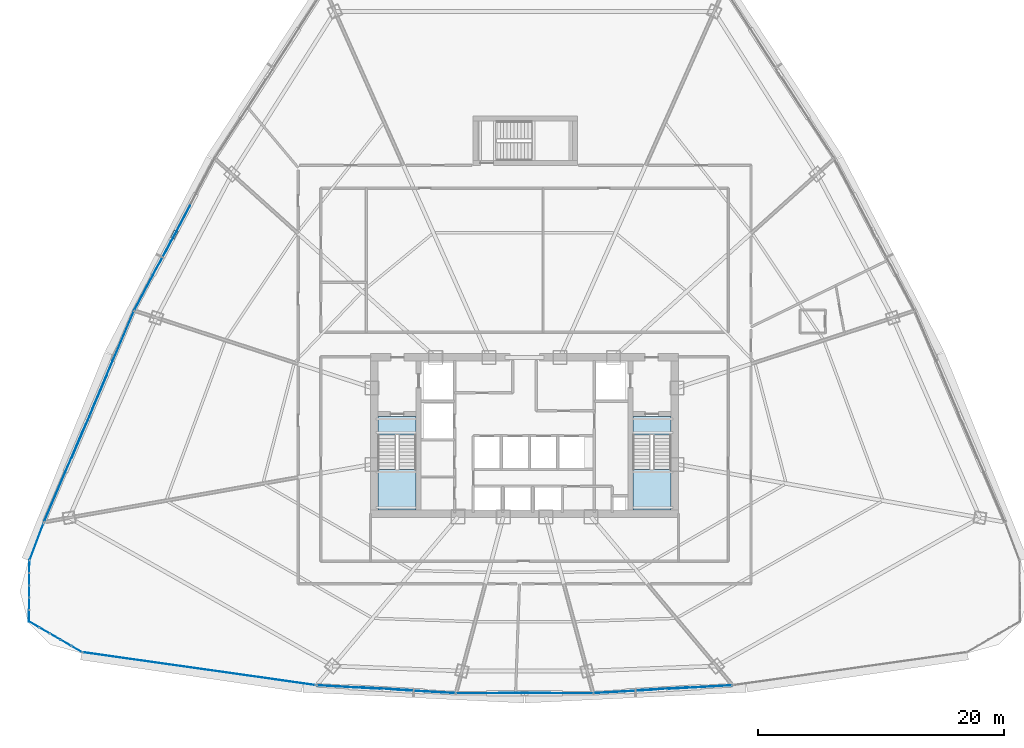
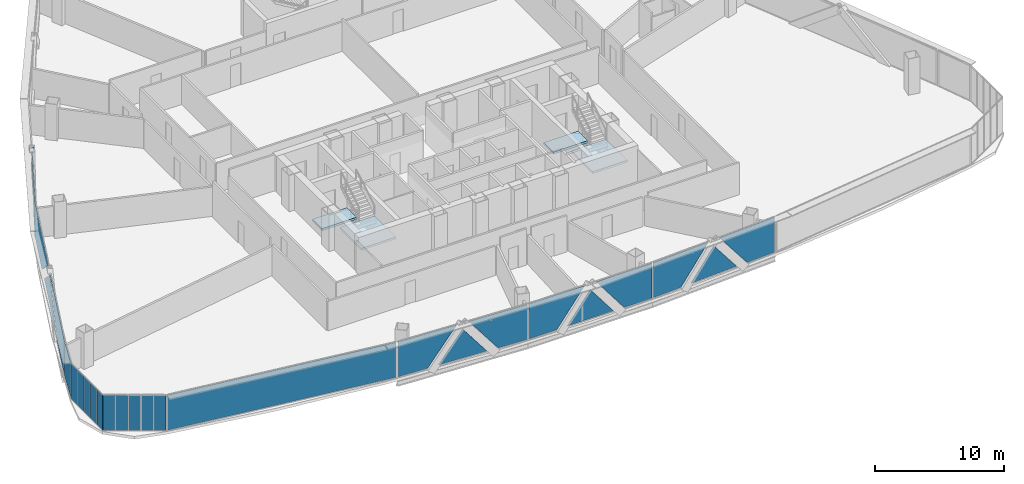
# One storey, part 31 of 42: 27 plates, 4 slabs, 11 elements without a shape of their own.
"""IFC4 building model written with IfcOpenShell, lengths in metres."""

from ifc_helpers import new_model, si_unit, direction, frame, origin, origin_2d, place, context, subcontext, project, spatial, polyline, rectangle, outline, extrude, source, transform, mapped, material, layer, layer_set, type_object, element, aggregate, save


model = new_model("IFC4")

# Units and contexts
model_context = context("Model", 3, precision=1e-05, world=origin(), true_north=direction((0.0, 1.0)))
body_context = subcontext(model_context, "Body", "Model", "MODEL_VIEW")
ifc_project = project(units=[si_unit("LENGTHUNIT", "METRE"), si_unit("AREAUNIT", "SQUARE_METRE"), si_unit("VOLUMEUNIT", "CUBIC_METRE"), si_unit("PLANEANGLEUNIT", "RADIAN"), si_unit("MASSUNIT", "GRAM", prefix="KILO"), si_unit("THERMODYNAMICTEMPERATUREUNIT", "KELVIN"), si_unit("POWERUNIT", "WATT")], contexts=[model_context])

# Site, building, storey
site_placement = place(None, origin())
site = spatial("IfcSite", under=ifc_project, at=site_placement, CompositionType="ELEMENT")
building_placement = place(site_placement, origin())
building = spatial("IfcBuilding", under=site, at=building_placement, Name="Yunzhuo Pagoda Commons", CompositionType="ELEMENT")
storey_placement = place(building_placement, frame((0.0, 0.0, 133.510009765625)))
storey = spatial("IfcBuildingStorey", under=building, at=storey_placement, Name="L33", CompositionType="ELEMENT", Elevation=133.510009765625)

# Curtain wall, plates
ifc_material_1 = material(Name="Anodized aluminium 6063-T6", Category="aluminium")
ifc_layer_1 = layer(ifc_material_1, 0.14990234375)
ifc_layer_set_1 = layer_set([ifc_layer_1], Name="Anodized aluminium 6063-T6")
curtain_wall_type_1 = type_object("IfcCurtainWallType", Name="CW-MID Mid-Zone Ribbon Curtain Wall", PredefinedType="NOTDEFINED", material=ifc_layer_set_1)
curtain_wall_1_placement = place(storey_placement, origin())
curtain_wall_1 = element("IfcCurtainWall", 1, at=curtain_wall_1_placement, inside=storey, type_object=curtain_wall_type_1, Name="L33 curtain wall CW-L33-F1B2", PredefinedType="NOTDEFINED")
ifc_material_2 = material(Name="Tempered low-e double glazing", Category="glass")
ifc_layer_2 = layer(ifc_material_2, 0.028076171875)
ifc_layer_set_2 = layer_set([ifc_layer_2], Name="Tempered low-e double glazing")
plate_type_1 = type_object("IfcPlateType", Name="CW-MID-P Low-E Double Glazing 28", PredefinedType="CURTAIN_PANEL", material=ifc_layer_set_2)
plate_1_placement = place(storey_placement, frame((33.7041015625, 13.427490234375, 1.7099609375), z_axis=(-0.056741862165, -0.99838888269, 0.0), x_axis=(0.99838888269, -0.056741862165, 0.0)))
plate_1 = element("IfcPlate", 2, at=plate_1_placement, type_object=plate_type_1, Name="CW panel 1.1 lite 1", PredefinedType="CURTAIN_PANEL", context=body_context, shape_type="SweptSolid", body=[
    extrude(outline(polyline([(-2.5458984375, -1.655029296875), (-0.005859375, -1.655029296875), (2.5458984375, 1.655029296875), (-2.5458984375, 1.655029296875), (-2.5458984375, -1.655029296875)])), origin(), (0.0, 0.0, 1.0), 0.028076171875),
])
plate_2_placement = place(storey_placement, frame((36.76904296875, 13.283203125, 1.42626953125), z_axis=(-0.056741862165, -0.99838888269, 0.0), x_axis=(0.99838888269, -0.056741862165, 0.0)))
plate_2 = element("IfcPlate", 3, at=plate_2_placement, type_object=plate_type_1, Name="CW panel 1.1 lite 2", PredefinedType="CURTAIN_PANEL", context=body_context, shape_type="SweptSolid", body=[
    extrude(outline(polyline([(-2.1142578125, -1.371337890625), (2.1142578125, -1.371337890625), (0.0, 1.371337890625), (-2.1142578125, -1.371337890625)])), origin(), (0.0, 0.0, 1.0), 0.028076171875),
])
plate_3_placement = place(storey_placement, frame((39.830322265625, 13.079345703125, 1.7099609375), z_axis=(-0.056741862165, -0.99838888269, 0.0), x_axis=(0.99838888269, -0.056741862165, 0.0)))
plate_3 = element("IfcPlate", 4, at=plate_3_placement, type_object=plate_type_1, Name="CW panel 1.1 lite 3", PredefinedType="CURTAIN_PANEL", context=body_context, shape_type="SweptSolid", body=[
    extrude(outline(polyline([(-2.5458984375, 1.655029296875), (0.005859375, -1.655029296875), (2.5458984375, -1.655029296875), (2.5458984375, 1.655029296875), (-2.5458984375, 1.655029296875)])), origin(), (0.0, 0.0, 1.0), 0.028076171875),
])
aggregate(curtain_wall_1, [plate_1, plate_2, plate_3])

curtain_wall_2_placement = place(storey_placement, origin())
curtain_wall_2 = element("IfcCurtainWall", 5, at=curtain_wall_2_placement, inside=storey, type_object=curtain_wall_type_1, Name="L33 curtain wall CW-L33-F1B3", PredefinedType="NOTDEFINED")
plate_4_placement = place(storey_placement, frame((44.986572265625, 12.931640625, 1.7099609375), z_axis=(0.0, -1.0, 0.0), x_axis=(1.0, 0.0, 0.0)))
plate_4 = element("IfcPlate", 6, at=plate_4_placement, type_object=plate_type_1, Name="CW panel 1.1 lite 1", PredefinedType="CURTAIN_PANEL", context=body_context, shape_type="SweptSolid", body=[
    extrude(outline(polyline([(-2.495361328125, -1.655029296875), (-0.00927734375, -1.655029296875), (2.495361328125, 1.655029296875), (-2.495361328125, 1.655029296875), (-2.495361328125, -1.655029296875)])), origin(), (0.0, 0.0, 1.0), 0.028076171875),
])
plate_5_placement = place(storey_placement, frame((48.0, 12.96142578125, 1.422607421875), z_axis=(0.0, -1.0, 0.0), x_axis=(1.0, 0.0, 0.0)))
plate_5 = element("IfcPlate", 7, at=plate_5_placement, type_object=plate_type_1, Name="CW panel 1.1 lite 2", PredefinedType="CURTAIN_PANEL", context=body_context, shape_type="SweptSolid", body=[
    extrude(outline(polyline([(-2.069580078125, -1.36767578125), (2.069580078125, -1.36767578125), (0.0, 1.36767578125), (-2.069580078125, -1.36767578125)])), origin(), (0.0, 0.0, 1.0), 0.028076171875),
])
plate_6_placement = place(storey_placement, frame((51.013427734375, 12.931640625, 1.7099609375), z_axis=(0.0, -1.0, 0.0), x_axis=(1.0, 0.0, 0.0)))
plate_6 = element("IfcPlate", 8, at=plate_6_placement, type_object=plate_type_1, Name="CW panel 1.1 lite 3", PredefinedType="CURTAIN_PANEL", context=body_context, shape_type="SweptSolid", body=[
    extrude(outline(polyline([(-2.495361328125, 1.655029296875), (0.00927734375, -1.655029296875), (2.495361328125, -1.655029296875), (2.495361328125, 1.655029296875), (-2.495361328125, 1.655029296875)])), origin(), (0.0, 0.0, 1.0), 0.028076171875),
])
aggregate(curtain_wall_2, [plate_4, plate_5, plate_6])

curtain_wall_3_placement = place(storey_placement, origin())
curtain_wall_3 = element("IfcCurtainWall", 9, at=curtain_wall_3_placement, inside=storey, type_object=curtain_wall_type_1, Name="L33 curtain wall CW-L33-F1B4", PredefinedType="NOTDEFINED")
plate_7_placement = place(storey_placement, frame((56.169677734375, 13.079345703125, 1.7099609375), z_axis=(0.056741862165, -0.99838888269, 0.0), x_axis=(0.99838888269, 0.056741862165, 0.0)))
plate_7 = element("IfcPlate", 10, at=plate_7_placement, type_object=plate_type_1, Name="CW panel 1.1 lite 1", PredefinedType="CURTAIN_PANEL", context=body_context, shape_type="SweptSolid", body=[
    extrude(outline(polyline([(-2.5458984375, -1.655029296875), (-0.005859375, -1.655029296875), (2.5458984375, 1.655029296875), (-2.5458984375, 1.655029296875), (-2.5458984375, -1.655029296875)])), origin(), (0.0, 0.0, 1.0), 0.028076171875),
])
plate_8_placement = place(storey_placement, frame((59.23095703125, 13.283203125, 1.42626953125), z_axis=(0.056741862165, -0.99838888269, 0.0), x_axis=(0.99838888269, 0.056741862165, 0.0)))
plate_8 = element("IfcPlate", 11, at=plate_8_placement, type_object=plate_type_1, Name="CW panel 1.1 lite 2", PredefinedType="CURTAIN_PANEL", context=body_context, shape_type="SweptSolid", body=[
    extrude(outline(polyline([(-2.1142578125, -1.371337890625), (2.1142578125, -1.371337890625), (0.0, 1.371337890625), (-2.1142578125, -1.371337890625)])), origin(), (0.0, 0.0, 1.0), 0.028076171875),
])
plate_9_placement = place(storey_placement, frame((62.2958984375, 13.427490234375, 1.7099609375), z_axis=(0.056741862165, -0.99838888269, 0.0), x_axis=(0.99838888269, 0.056741862165, 0.0)))
plate_9 = element("IfcPlate", 12, at=plate_9_placement, type_object=plate_type_1, Name="CW panel 1.1 lite 3", PredefinedType="CURTAIN_PANEL", context=body_context, shape_type="SweptSolid", body=[
    extrude(outline(polyline([(-2.5458984375, 1.655029296875), (0.005859375, -1.655029296875), (2.5458984375, -1.655029296875), (2.5458984375, 1.655029296875), (-2.5458984375, 1.655029296875)])), origin(), (0.0, 0.0, 1.0), 0.028076171875),
])
aggregate(curtain_wall_3, [plate_7, plate_8, plate_9])

curtain_wall_4_placement = place(storey_placement, origin())
curtain_wall_4 = element("IfcCurtainWall", 13, at=curtain_wall_4_placement, inside=storey, type_object=curtain_wall_type_1, Name="L33 curtain wall CW-L33-F3B3", PredefinedType="NOTDEFINED")
plate_10_placement = place(storey_placement, frame((19.591796875, 50.166015625, 1.461669921875), z_axis=(-0.883694161172, 0.468064770635, 0.0), x_axis=(-0.468064770635, -0.883694161172, 0.0)))
plate_10 = element("IfcPlate", 14, at=plate_10_placement, type_object=plate_type_1, Name="CW panel 1.1 lite 2", PredefinedType="CURTAIN_PANEL", context=body_context, shape_type="SweptSolid", body=[
    extrude(outline(polyline([(-2.673095703125, -1.40673828125), (2.673095703125, -1.40673828125), (0.0, 1.406494140625), (-2.673095703125, -1.40673828125)])), origin(), (0.0, 0.0, 1.0), 0.028076171875),
])
plate_11_placement = place(storey_placement, frame((17.807861328125, 46.86181640625, 1.7099609375), z_axis=(-0.883694161172, 0.468064770635, 0.0), x_axis=(-0.468064770635, -0.883694161172, 0.0)))
plate_11 = element("IfcPlate", 15, at=plate_11_placement, type_object=plate_type_1, Name="CW panel 1.1 lite 3", PredefinedType="CURTAIN_PANEL", context=body_context, shape_type="SweptSolid", body=[
    extrude(outline(polyline([(-3.178466796875, 1.655029296875), (-0.033203125, -1.655029296875), (3.178466796875, -1.655029296875), (3.178466796875, 1.655029296875), (-3.178466796875, 1.655029296875)])), origin(), (0.0, 0.0, 1.0), 0.028076171875),
])
aggregate(curtain_wall_4, [plate_10, plate_11])

curtain_wall_5_placement = place(storey_placement, origin())
curtain_wall_5 = element("IfcCurtainWall", 16, at=curtain_wall_5_placement, inside=storey, type_object=curtain_wall_type_1, Name="L33 curtain wall CW-L33-F3B4", PredefinedType="NOTDEFINED")
plate_12_placement = place(storey_placement, frame((14.5830078125, 39.989990234375, 1.7099609375), z_axis=(-0.919928137274, 0.392087008522, 0.0), x_axis=(-0.392087008522, -0.919928137274, 0.0)))
plate_12 = element("IfcPlate", 17, at=plate_12_placement, type_object=plate_type_1, Name="CW panel 1.1 lite 1", PredefinedType="CURTAIN_PANEL", context=body_context, shape_type="SweptSolid", body=[
    extrude(outline(polyline([(-4.300048828125, -1.655029296875), (0.097900390625, -1.655029296875), (4.300048828125, 1.655029296875), (-4.300048828125, 1.655029296875), (-4.300048828125, -1.655029296875)])), origin(), (0.0, 0.0, 1.0), 0.028076171875),
])
plate_13_placement = place(storey_placement, frame((12.65625, 35.393310546875, 1.49560546875), z_axis=(-0.919928137274, 0.392087008522, 0.0), x_axis=(-0.392087008522, -0.919928137274, 0.0)))
plate_13 = element("IfcPlate", 18, at=plate_13_placement, type_object=plate_type_1, Name="CW panel 1.1 lite 2", PredefinedType="CURTAIN_PANEL", context=body_context, shape_type="SweptSolid", body=[
    extrude(outline(polyline([(-3.657958984375, -1.440673828125), (3.657958984375, -1.440673828125), (0.0, 1.440673828125), (-3.657958984375, -1.440673828125)])), origin(), (0.0, 0.0, 1.0), 0.028076171875),
])
plate_14_placement = place(storey_placement, frame((10.674560546875, 30.820068359375, 1.7099609375), z_axis=(-0.919928137274, 0.392087008522, 0.0), x_axis=(-0.392087008522, -0.919928137274, 0.0)))
plate_14 = element("IfcPlate", 19, at=plate_14_placement, type_object=plate_type_1, Name="CW panel 1.1 lite 3", PredefinedType="CURTAIN_PANEL", context=body_context, shape_type="SweptSolid", body=[
    extrude(outline(polyline([(-4.300048828125, 1.655029296875), (-0.097900390625, -1.655029296875), (4.300048828125, -1.655029296875), (4.300048828125, 1.655029296875), (-4.300048828125, 1.655029296875)])), origin(), (0.0, 0.0, 1.0), 0.028076171875),
])
aggregate(curtain_wall_5, [plate_12, plate_13, plate_14])

# Stair, slabs
ifc_material_3 = material(Name="Concrete C40", Category="concrete")
stair_type_1 = type_object("IfcStairType", Name="ST-C1 Core Smokeproof Stair ST1", PredefinedType="HALF_TURN_STAIR", material=ifc_material_3)
stair_1_placement = place(storey_placement, origin())
stair_1 = element("IfcStair", 20, at=stair_1_placement, inside=storey, type_object=stair_type_1, Name="L33 Core smokeproof stair ST1", PredefinedType="HALF_TURN_STAIR")
ifc_layer_3 = layer(ifc_material_3, 0.199951171875)
ifc_layer_set_3 = layer_set([ifc_layer_3], Name="Concrete C40")
slab_type_1 = type_object("IfcSlabType", Name="SL-LND1 Stair Landing Slab 200", PredefinedType="LANDING", material=ifc_layer_set_3)
slab_1_placement = place(storey_placement, frame((0.0, 0.0, 1.639892578125)))
slab_1 = element("IfcSlab", 21, at=slab_1_placement, type_object=slab_type_1, Name="ST1 landing 1", PredefinedType="LANDING", context=body_context, shape_type="SweptSolid", body=[
    extrude(outline(polyline([(36.10009765625, 31.10009765625), (36.10009765625, 27.800048828125), (39.199951171875, 27.800048828125), (39.199951171875, 31.10009765625), (36.10009765625, 31.10009765625)])), origin(), (0.0, 0.0, 1.0), 0.2001953125),
])
slab_2_placement = place(storey_placement, frame((0.0, 0.0, -0.199951171875)))
slab_2 = element("IfcSlab", 22, at=slab_2_placement, type_object=slab_type_1, Name="ST1 floor landing L33", PredefinedType="LANDING", context=body_context, shape_type="SweptSolid", body=[
    extrude(outline(polyline([(36.10009765625, 35.39990234375), (36.10009765625, 33.89990234375), (39.199951171875, 33.89990234375), (39.199951171875, 35.39990234375), (36.10009765625, 35.39990234375)])), origin(), (0.0, 0.0, 1.0), 0.199951171875),
])
aggregate(stair_1, [slab_1, slab_2])

stair_type_2 = type_object("IfcStairType", Name="ST-C2 Core Smokeproof Stair ST2", PredefinedType="HALF_TURN_STAIR", material=ifc_material_3)
stair_2_placement = place(storey_placement, origin())
stair_2 = element("IfcStair", 23, at=stair_2_placement, inside=storey, type_object=stair_type_2, Name="L33 Core smokeproof stair ST2", PredefinedType="HALF_TURN_STAIR")
ifc_layer_4 = layer(ifc_material_3, 0.201904296875)
ifc_layer_set_4 = layer_set([ifc_layer_4], Name="Concrete C40")
slab_type_2 = type_object("IfcSlabType", Name="SL-LND2 Stair Landing Slab 202", PredefinedType="LANDING", material=ifc_layer_set_4)
slab_3_placement = place(storey_placement, frame((0.0, 0.0, 1.639892578125)))
slab_3 = element("IfcSlab", 24, at=slab_3_placement, type_object=slab_type_2, Name="ST2 landing 1", PredefinedType="LANDING", context=body_context, shape_type="SweptSolid", body=[
    extrude(outline(polyline([(56.800048828125, 31.10009765625), (56.800048828125, 27.800048828125), (59.89990234375, 27.800048828125), (59.89990234375, 31.10009765625), (56.800048828125, 31.10009765625)])), origin(), (0.0, 0.0, 1.0), 0.2001953125),
])
slab_4_placement = place(storey_placement, frame((0.0, 0.0, -0.199951171875)))
slab_4 = element("IfcSlab", 25, at=slab_4_placement, type_object=slab_type_2, Name="ST2 floor landing L33", PredefinedType="LANDING", context=body_context, shape_type="SweptSolid", body=[
    extrude(outline(polyline([(56.800048828125, 35.39990234375), (56.800048828125, 33.89990234375), (59.89990234375, 33.89990234375), (59.89990234375, 35.39990234375), (56.800048828125, 35.39990234375)])), origin(), (0.0, 0.0, 1.0), 0.199951171875),
])
aggregate(stair_2, [slab_3, slab_4])

# Plate
ifc_material_4 = material(Name="Structural steel Q355B", Category="steel")
ifc_layer_5 = layer(ifc_material_4, 0.028076171875)
ifc_layer_set_5 = layer_set([ifc_layer_5], Name="Structural steel Q355B")
plate_type_2 = type_object("IfcPlateType", Name="SP-ND1 Lattice Node Cap Plate 800x500x28", PredefinedType="USERDEFINED", material=ifc_layer_set_5)
shared_shape_1 = source(origin(), body_context, "Body", "SweptSolid", [
    extrude(rectangle(XDim=0.699951171875, YDim=0.35009765625, at=origin_2d()), origin(), (0.0, 0.0, 1.0), 0.035888671875),
])
plate_15_placement = place(storey_placement, frame((19.552734375, 50.1865234375, 3.3818359375), z_axis=(0.0, 0.0, 1.0), x_axis=(-0.468068630068, -0.883692116943, 0.0)))
element("IfcPlate", 26, at=plate_15_placement, inside=storey, type_object=plate_type_2, Name="L33 setback lattice tie plate F3.2L", ObjectType="STIFFENER_PLATE", PredefinedType="USERDEFINED", context=body_context, shape_type="MappedRepresentation", body=[
    mapped(shared_shape_1, transform((0.0, 0.0, 0.0), scale=1.0)),
])

# Curtain wall, plate
curtain_wall_6_placement = place(storey_placement, origin())
curtain_wall_6 = element("IfcCurtainWall", 27, at=curtain_wall_6_placement, inside=storey, type_object=curtain_wall_type_1, Name="L33 curtain wall CW-L33-F1B1", PredefinedType="NOTDEFINED")
shared_shape_2 = source(origin(), body_context, "Body", "SweptSolid", [
    extrude(rectangle(XDim=19.068359375, YDim=0.028076171875, at=origin_2d()), origin(), (0.0, 0.0, 1.0), 3.31005859375),
])
plate_16_placement = place(storey_placement, frame((21.527587890625, 14.915283203125, 0.054931640625), z_axis=(0.0, 0.0, 1.0), x_axis=(0.990147694104, -0.140026939768, 0.0)))
plate_16 = element("IfcPlate", 28, at=plate_16_placement, type_object=plate_type_1, Name="CW panel 1.1", PredefinedType="CURTAIN_PANEL", context=body_context, shape_type="MappedRepresentation", body=[
    mapped(shared_shape_2, transform((0.0, 0.0, 0.0), scale=1.0)),
])
aggregate(curtain_wall_6, [plate_16])

curtain_wall_7_placement = place(storey_placement, origin())
curtain_wall_7 = element("IfcCurtainWall", 29, at=curtain_wall_7_placement, inside=storey, type_object=curtain_wall_type_1, Name="L33 curtain wall CW-L33-F3B5", PredefinedType="NOTDEFINED")
shared_shape_3 = source(origin(), body_context, "Body", "SweptSolid", [
    extrude(rectangle(XDim=3.15576171875, YDim=0.028076171875, at=origin_2d()), origin(), (0.0, 0.0, 1.0), 3.31005859375),
])
plate_17_placement = place(storey_placement, frame((8.34619140625, 25.212646484375, 0.054931640625), z_axis=(0.0, 0.0, 1.0), x_axis=(-0.353798274003, -0.935321752827, 0.0)))
plate_17 = element("IfcPlate", 30, at=plate_17_placement, type_object=plate_type_1, Name="CW panel 1.1", PredefinedType="CURTAIN_PANEL", context=body_context, shape_type="MappedRepresentation", body=[
    mapped(shared_shape_3, transform((0.0, 0.0, 0.0), scale=1.0)),
])
aggregate(curtain_wall_7, [plate_17])

# Curtain wall, plates
ifc_layer_6 = layer(ifc_material_1, 0.1298828125)
ifc_layer_set_6 = layer_set([ifc_layer_6], Name="Anodized aluminium 6063-T6")
curtain_wall_type_2 = type_object("IfcCurtainWallType", Name="CW-VTX Rounded Corner Curtain Wall", PredefinedType="NOTDEFINED", material=ifc_layer_set_6)
curtain_wall_8_placement = place(storey_placement, origin())
curtain_wall_8 = element("IfcCurtainWall", 31, at=curtain_wall_8_placement, inside=storey, type_object=curtain_wall_type_2, Name="L33 curtain wall CW-L33-VTX1S1", PredefinedType="NOTDEFINED")
ifc_layer_7 = layer(ifc_material_2, 0.02587890625)
ifc_layer_set_7 = layer_set([ifc_layer_7], Name="Tempered low-e double glazing")
plate_type_3 = type_object("IfcPlateType", Name="CW-VTX-P Low-E Double Glazing 26", PredefinedType="CURTAIN_PANEL", material=ifc_layer_set_7)
shared_shape_4 = source(origin(), body_context, "Body", "SweptSolid", [
    extrude(rectangle(XDim=0.915771484375, YDim=0.028076171875, at=origin_2d()), origin(), (0.0, 0.0, 1.0), 3.31005859375),
])
plate_18_placement = place(storey_placement, frame((7.7646484375, 23.16796875, 0.054931640625), z_axis=(0.0, 0.0, 1.0), x_axis=(-0.003586576275, -0.999993568215, 0.0)))
plate_18 = element("IfcPlate", 32, at=plate_18_placement, type_object=plate_type_3, Name="CW panel 1.1", PredefinedType="CURTAIN_PANEL", context=body_context, shape_type="MappedRepresentation", body=[
    mapped(shared_shape_4, transform((0.0, 0.0, 0.0), scale=1.0)),
])
plate_19_placement = place(storey_placement, frame((7.75048828125, 19.20263671875, 0.054931640625), z_axis=(0.0, 0.0, 1.0), x_axis=(-0.003586576275, -0.999993568215, 0.0)))
plate_19 = element("IfcPlate", 33, at=plate_19_placement, type_object=plate_type_3, Name="CW panel 5.1", PredefinedType="CURTAIN_PANEL", context=body_context, shape_type="MappedRepresentation", body=[
    mapped(shared_shape_4, transform((0.0, 0.0, 0.0), scale=1.0)),
])

curtain_wall_9_placement = place(storey_placement, origin())
curtain_wall_9 = element("IfcCurtainWall", 34, at=curtain_wall_9_placement, inside=storey, type_object=curtain_wall_type_2, Name="L33 curtain wall CW-L33-VTX1S2", PredefinedType="NOTDEFINED")
plate_20_placement = place(storey_placement, frame((8.152587890625, 18.50244140625, 0.054931640625), z_axis=(0.0, 0.0, 1.0), x_axis=(0.865425370946, -0.501037850191, 0.0)))
plate_20 = element("IfcPlate", 35, at=plate_20_placement, type_object=plate_type_3, Name="CW panel 1.1", PredefinedType="CURTAIN_PANEL", context=body_context, shape_type="MappedRepresentation", body=[
    mapped(shared_shape_4, transform((0.0, 0.0, 0.0), scale=1.0)),
])
plate_21_placement = place(storey_placement, frame((11.584228515625, 16.515869140625, 0.054931640625), z_axis=(0.0, 0.0, 1.0), x_axis=(0.865425370946, -0.501037850191, 0.0)))
plate_21 = element("IfcPlate", 36, at=plate_21_placement, type_object=plate_type_3, Name="CW panel 5.1", PredefinedType="CURTAIN_PANEL", context=body_context, shape_type="MappedRepresentation", body=[
    mapped(shared_shape_4, transform((0.0, 0.0, 0.0), scale=1.0)),
])

# Plate
shared_shape_5 = source(origin(), body_context, "Body", "SweptSolid", [
    extrude(rectangle(XDim=0.943115234375, YDim=0.028076171875, at=origin_2d()), origin(), (0.0, 0.0, 1.0), 3.31005859375),
])
plate_22_placement = place(storey_placement, frame((7.76123046875, 22.183349609375, 0.054931640625), z_axis=(0.0, 0.0, 1.0), x_axis=(-0.003586576275, -0.999993568215, 0.0)))
plate_22 = element("IfcPlate", 37, at=plate_22_placement, type_object=plate_type_3, Name="CW panel 2.1", PredefinedType="CURTAIN_PANEL", context=body_context, shape_type="MappedRepresentation", body=[
    mapped(shared_shape_5, transform((0.0, 0.0, 0.0), scale=1.0)),
])

plate_23_placement = place(storey_placement, frame((7.757568359375, 21.185302734375, 0.054931640625), z_axis=(0.0, 0.0, 1.0), x_axis=(-0.003586576275, -0.999993568215, 0.0)))
plate_23 = element("IfcPlate", 38, at=plate_23_placement, type_object=plate_type_3, Name="CW panel 3.1", PredefinedType="CURTAIN_PANEL", context=body_context, shape_type="MappedRepresentation", body=[
    mapped(shared_shape_5, transform((0.0, 0.0, 0.0), scale=1.0)),
])

plate_24_placement = place(storey_placement, frame((7.754150390625, 20.187255859375, 0.054931640625), z_axis=(0.0, 0.0, 1.0), x_axis=(-0.003586576275, -0.999993568215, 0.0)))
plate_24 = element("IfcPlate", 39, at=plate_24_placement, type_object=plate_type_3, Name="CW panel 4.1", PredefinedType="CURTAIN_PANEL", context=body_context, shape_type="MappedRepresentation", body=[
    mapped(shared_shape_5, transform((0.0, 0.0, 0.0), scale=1.0)),
])

aggregate(curtain_wall_8, [plate_18, plate_22, plate_23, plate_24, plate_19])

plate_25_placement = place(storey_placement, frame((9.004638671875, 18.00927734375, 0.054931640625), z_axis=(0.0, 0.0, 1.0), x_axis=(0.865425370946, -0.501037850191, 0.0)))
plate_25 = element("IfcPlate", 40, at=plate_25_placement, type_object=plate_type_3, Name="CW panel 2.1", PredefinedType="CURTAIN_PANEL", context=body_context, shape_type="MappedRepresentation", body=[
    mapped(shared_shape_5, transform((0.0, 0.0, 0.0), scale=1.0)),
])

plate_26_placement = place(storey_placement, frame((9.868408203125, 17.509033203125, 0.054931640625), z_axis=(0.0, 0.0, 1.0), x_axis=(0.865425370946, -0.501037850191, 0.0)))
plate_26 = element("IfcPlate", 41, at=plate_26_placement, type_object=plate_type_3, Name="CW panel 3.1", PredefinedType="CURTAIN_PANEL", context=body_context, shape_type="MappedRepresentation", body=[
    mapped(shared_shape_5, transform((0.0, 0.0, 0.0), scale=1.0)),
])

plate_27_placement = place(storey_placement, frame((10.732177734375, 17.009033203125, 0.054931640625), z_axis=(0.0, 0.0, 1.0), x_axis=(0.865425370946, -0.501037850191, 0.0)))
plate_27 = element("IfcPlate", 42, at=plate_27_placement, type_object=plate_type_3, Name="CW panel 4.1", PredefinedType="CURTAIN_PANEL", context=body_context, shape_type="MappedRepresentation", body=[
    mapped(shared_shape_5, transform((0.0, 0.0, 0.0), scale=1.0)),
])

aggregate(curtain_wall_9, [plate_20, plate_25, plate_26, plate_27, plate_21])

save(model, "model.ifc")
